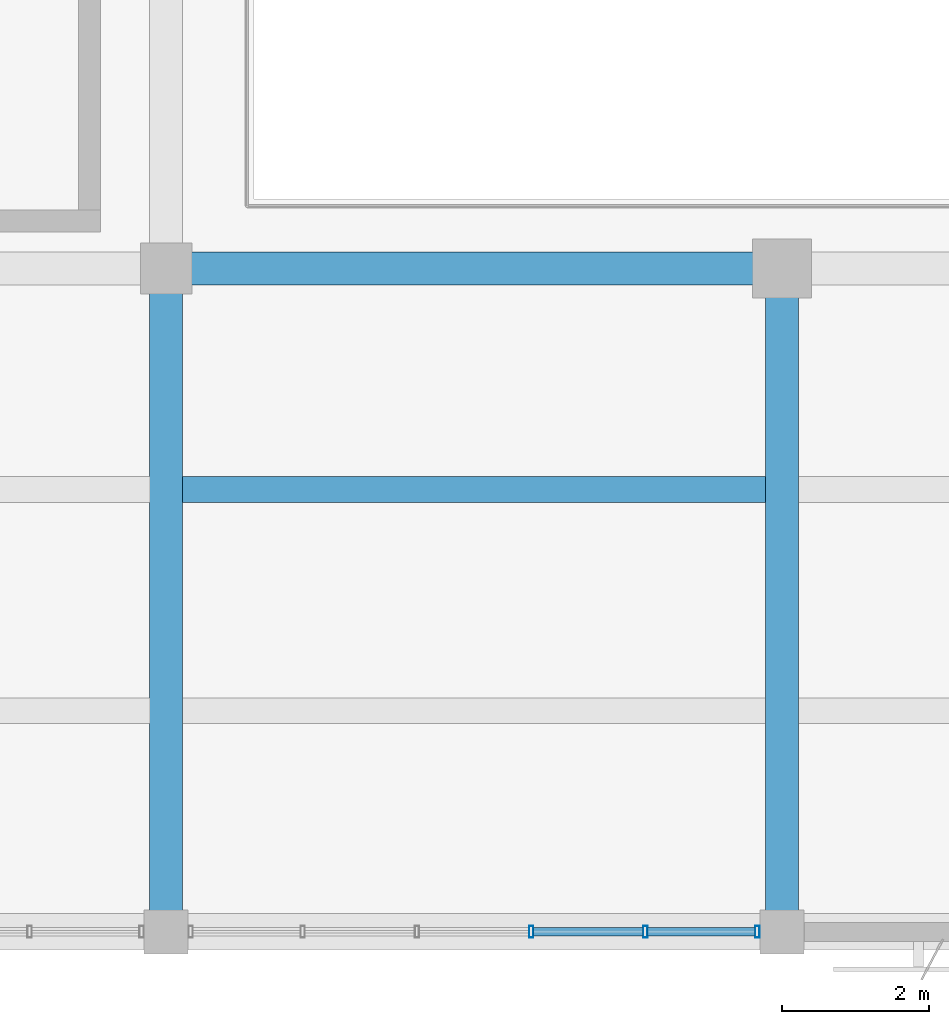
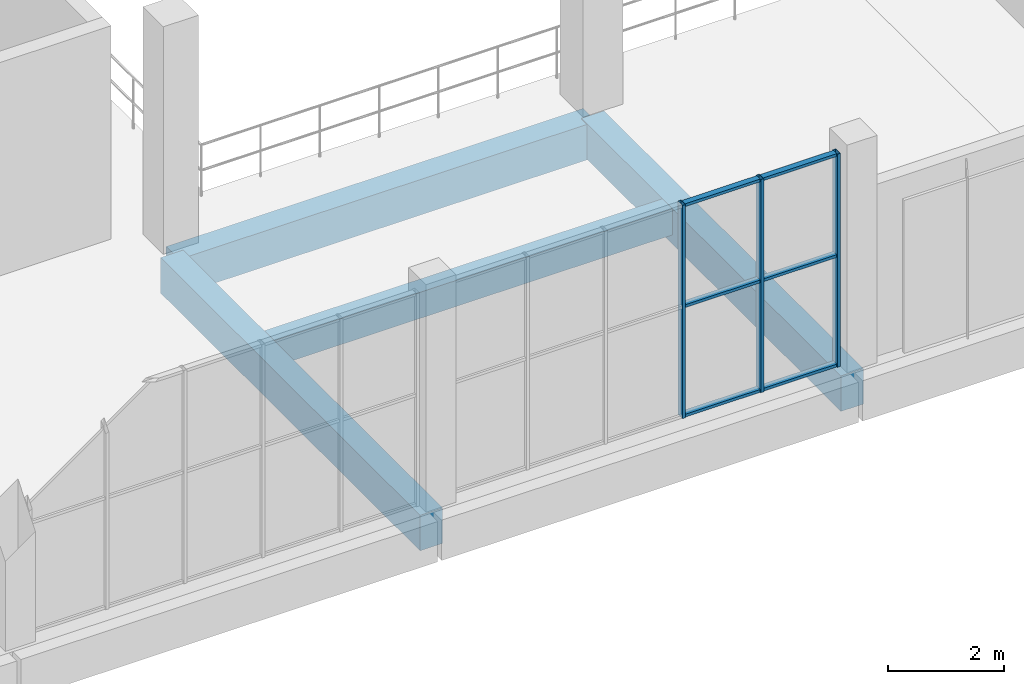
# One storey, part 14 of 80: 9 members, 4 beams, 1 element without a shape of its own.
"""IFC4 building model written with IfcOpenShell, lengths in metres."""

from ifc_helpers import new_model, si_unit, direction, frame, origin, origin_2d, place, context, subcontext, project, spatial, rectangle, hollow_rectangle, extrude, material, material_profile, profile_set, type_object, element, aggregate, save


model = new_model("IFC4")

# Units and contexts
model_context = context("Model", 3, precision=1e-05, world=origin(), true_north=direction((0.0, 1.0)))
body_context = subcontext(model_context, "Body", "Model", "MODEL_VIEW")
ifc_project = project(units=[si_unit("LENGTHUNIT", "METRE"), si_unit("AREAUNIT", "SQUARE_METRE"), si_unit("VOLUMEUNIT", "CUBIC_METRE"), si_unit("PLANEANGLEUNIT", "RADIAN"), si_unit("MASSUNIT", "GRAM", prefix="KILO")], contexts=[model_context])

# Site, building, storey
site_placement = place(None, origin())
site = spatial("IfcSite", under=ifc_project, at=site_placement, CompositionType="ELEMENT")
building_placement = place(site_placement, origin())
building = spatial("IfcBuilding", under=site, at=building_placement, Name="Khurvash Pelagic Aquarium", CompositionType="ELEMENT")
storey_placement = place(building_placement, frame((0.0, 0.0, 10.800048828125)))
storey = spatial("IfcBuildingStorey", under=building, at=storey_placement, Name="L02", CompositionType="ELEMENT", Elevation=10.800048828125)

# Beams
ifc_material_1 = material(Name="Concrete C35/45", Category="concrete")
ifc_material_profile_1 = material_profile(ifc_material_1, rectangle(XDim=0.449951171875, YDim=0.75, at=origin_2d()), Name="RC450X750")
ifc_profile_set_1 = profile_set([ifc_material_profile_1], Name="Concrete C35/45")
beam_type_1 = type_object("IfcBeamType", Name="BM-04", PredefinedType="BEAM", material=ifc_profile_set_1)
beam_1_placement = place(storey_placement, frame((67.239990234375, 11.64990234375, -0.695068359375), z_axis=(1.0, 0.0, 0.0), x_axis=(0.0, 1.0, 0.0)))
element("IfcBeam", 1, at=beam_1_placement, inside=storey, type_object=beam_type_1, Name="L02 Primary Girder BM-04 00577", PredefinedType="BEAM", context=body_context, shape_type="SweptSolid", body=[
    extrude(rectangle(XDim=0.449951171875, YDim=0.75, at=origin_2d()), origin(), (0.0, 0.0, 1.0), 8.320068359375),
])
for number, where, z_axis, x_axis, name in (
    (2, (67.199951171875, 2.639892578125, -0.675048828125), (0.0, 1.0, 0.0), (-1.0, 0.0, 0.0), "L02 Primary Girder BM-04 00686"),
    (3, (75.60009765625, 2.639892578125, -0.675048828125), (0.0, 1.0, 0.0), (-1.0, 0.0, 0.0), "L02 Primary Girder BM-04 00691"),
):
    element("IfcBeam", number, at=place(storey_placement, frame(where, z_axis=z_axis, x_axis=x_axis)), inside=storey, type_object=beam_type_1, Name=name, PredefinedType="BEAM", context=body_context, shape_type="SweptSolid", body=[
        extrude(rectangle(XDim=0.449951171875, YDim=0.75, at=origin_2d()), origin(), (0.0, 0.0, 1.0), 8.97021484375),
    ])

# Curtain wall, members
ifc_material_2 = material(Name="Anodised aluminium and low-E laminated glass", Category="aluminium")
curtain_wall_type = type_object("IfcCurtainWallType", Name="CW-06", PredefinedType="USERDEFINED", material=ifc_material_2)
curtain_wall_placement = place(storey_placement, origin())
curtain_wall = element("IfcCurtainWall", 4, at=curtain_wall_placement, inside=storey, type_object=curtain_wall_type, Name="L02 Facade Unitised Curtain Wall CW-06 0154", ObjectType="UNITISED CURTAIN WALL", PredefinedType="USERDEFINED")
ifc_material_3 = material(Name="Extruded aluminium AW-6063-T6", Category="aluminium")
ifc_material_profile_2 = material_profile(ifc_material_3, hollow_rectangle(XDim=0.06005859375, YDim=0.159912109375, WallThickness=0.00390625, at=origin_2d()), Name="CWM60X160X4")
ifc_profile_set_2 = profile_set([ifc_material_profile_2], Name="Extruded aluminium AW-6063-T6")
member_type_1 = type_object("IfcMemberType", Name="CM-02", PredefinedType="MULLION", material=ifc_profile_set_2)
member_1_placement = place(storey_placement, frame((72.178955078125, 2.60009765625, 0.0), z_axis=(0.0, 0.0, 1.0), x_axis=(1.0, 0.0, 0.0)))
member_1 = element("IfcMember", 5, at=member_1_placement, type_object=member_type_1, Name="CW-06 mullion 4", PredefinedType="MULLION", context=body_context, shape_type="SweptSolid", body=[
    extrude(hollow_rectangle(XDim=0.06005859375, YDim=0.159912109375, WallThickness=0.00390625, at=origin_2d()), origin(), (0.0, 0.0, 1.0), 4.5),
])
member_2_placement = place(storey_placement, frame((73.737060546875, 2.60009765625, 0.0), z_axis=(0.0, 0.0, 1.0), x_axis=(1.0, 0.0, 0.0)))
member_2 = element("IfcMember", 6, at=member_2_placement, type_object=member_type_1, Name="CW-06 mullion 5", PredefinedType="MULLION", context=body_context, shape_type="SweptSolid", body=[
    extrude(hollow_rectangle(XDim=0.06005859375, YDim=0.159912109375, WallThickness=0.00390625, at=origin_2d()), origin(), (0.0, 0.0, 1.0), 4.5),
])
member_3_placement = place(storey_placement, frame((75.264892578125, 2.60009765625, 0.0), z_axis=(0.0, 0.0, 1.0), x_axis=(1.0, 0.0, 0.0)))
member_3 = element("IfcMember", 7, at=member_3_placement, type_object=member_type_1, Name="CW-06 mullion 6", PredefinedType="MULLION", context=body_context, shape_type="SweptSolid", body=[
    extrude(hollow_rectangle(XDim=0.06005859375, YDim=0.159912109375, WallThickness=0.00390625, at=origin_2d()), origin(), (0.0, 0.0, 1.0), 4.5),
])
ifc_material_profile_3 = material_profile(ifc_material_3, hollow_rectangle(XDim=0.1201171875, YDim=0.06005859375, WallThickness=0.00390625, at=origin_2d()), Name="CWT120X60X4")
ifc_profile_set_3 = profile_set([ifc_material_profile_3], Name="Extruded aluminium AW-6063-T6")
member_type_2 = type_object("IfcMemberType", Name="CT-02", PredefinedType="USERDEFINED", material=ifc_profile_set_3)
member_4_placement = place(storey_placement, frame((72.208984375, 2.60009765625, 0.030029296875), z_axis=(1.0, 0.0, 0.0), x_axis=(0.0, 1.0, 0.0)))
member_4 = element("IfcMember", 8, at=member_4_placement, type_object=member_type_2, Name="CW-06 transom 4.1", ObjectType="TRANSOM", PredefinedType="USERDEFINED", context=body_context, shape_type="SweptSolid", body=[
    extrude(hollow_rectangle(XDim=0.1201171875, YDim=0.06005859375, WallThickness=0.00390625, at=origin_2d()), origin(), (0.0, 0.0, 1.0), 1.498046875),
])
member_5_placement = place(storey_placement, frame((72.208984375, 2.60009765625, 2.33984375), z_axis=(1.0, 0.0, 0.0), x_axis=(0.0, 1.0, 0.0)))
member_5 = element("IfcMember", 9, at=member_5_placement, type_object=member_type_2, Name="CW-06 transom 4.2", ObjectType="TRANSOM", PredefinedType="USERDEFINED", context=body_context, shape_type="SweptSolid", body=[
    extrude(hollow_rectangle(XDim=0.1201171875, YDim=0.06005859375, WallThickness=0.00390625, at=origin_2d()), origin(), (0.0, 0.0, 1.0), 1.498046875),
])
member_6_placement = place(storey_placement, frame((72.208984375, 2.60009765625, 4.469970703125), z_axis=(1.0, 0.0, 0.0), x_axis=(0.0, 1.0, 0.0)))
member_6 = element("IfcMember", 10, at=member_6_placement, type_object=member_type_2, Name="CW-06 transom 4.3", ObjectType="TRANSOM", PredefinedType="USERDEFINED", context=body_context, shape_type="SweptSolid", body=[
    extrude(hollow_rectangle(XDim=0.1201171875, YDim=0.06005859375, WallThickness=0.00390625, at=origin_2d()), origin(), (0.0, 0.0, 1.0), 1.498046875),
])
member_7_placement = place(storey_placement, frame((73.76708984375, 2.60009765625, 0.030029296875), z_axis=(1.0, 0.0, 0.0), x_axis=(0.0, 1.0, 0.0)))
member_7 = element("IfcMember", 11, at=member_7_placement, type_object=member_type_2, Name="CW-06 transom 5.1", ObjectType="TRANSOM", PredefinedType="USERDEFINED", context=body_context, shape_type="SweptSolid", body=[
    extrude(hollow_rectangle(XDim=0.1201171875, YDim=0.06005859375, WallThickness=0.00390625, at=origin_2d()), origin(), (0.0, 0.0, 1.0), 1.468017578125),
])
member_8_placement = place(storey_placement, frame((73.76708984375, 2.60009765625, 2.33984375), z_axis=(1.0, 0.0, 0.0), x_axis=(0.0, 1.0, 0.0)))
member_8 = element("IfcMember", 12, at=member_8_placement, type_object=member_type_2, Name="CW-06 transom 5.2", ObjectType="TRANSOM", PredefinedType="USERDEFINED", context=body_context, shape_type="SweptSolid", body=[
    extrude(hollow_rectangle(XDim=0.1201171875, YDim=0.06005859375, WallThickness=0.00390625, at=origin_2d()), origin(), (0.0, 0.0, 1.0), 1.468017578125),
])
member_9_placement = place(storey_placement, frame((73.76708984375, 2.60009765625, 4.469970703125), z_axis=(1.0, 0.0, 0.0), x_axis=(0.0, 1.0, 0.0)))
member_9 = element("IfcMember", 13, at=member_9_placement, type_object=member_type_2, Name="CW-06 transom 5.3", ObjectType="TRANSOM", PredefinedType="USERDEFINED", context=body_context, shape_type="SweptSolid", body=[
    extrude(hollow_rectangle(XDim=0.1201171875, YDim=0.06005859375, WallThickness=0.00390625, at=origin_2d()), origin(), (0.0, 0.0, 1.0), 1.468017578125),
])
aggregate(curtain_wall, [member_1, member_2, member_3, member_4, member_5, member_6, member_7, member_8, member_9])

# Beam
ifc_material_profile_4 = material_profile(ifc_material_1, rectangle(XDim=0.35009765625, YDim=0.550048828125, at=origin_2d()), Name="RC350X550")
ifc_profile_set_4 = profile_set([ifc_material_profile_4], Name="Concrete C35/45")
beam_type_2 = type_object("IfcBeamType", Name="JS-01", PredefinedType="JOIST", material=ifc_profile_set_4)
beam_2_placement = place(storey_placement, frame((67.425048828125, 8.633056640625, -0.574951171875), z_axis=(1.0, 0.0, 0.0), x_axis=(0.0, 1.0, 0.0)))
element("IfcBeam", 14, at=beam_2_placement, inside=storey, type_object=beam_type_2, Name="L02 Floor Joist JS-01 00782", PredefinedType="JOIST", context=body_context, shape_type="SweptSolid", body=[
    extrude(rectangle(XDim=0.35009765625, YDim=0.550048828125, at=origin_2d()), origin(), (0.0, 0.0, 1.0), 7.949951171875),
])

save(model, "model.ifc")
